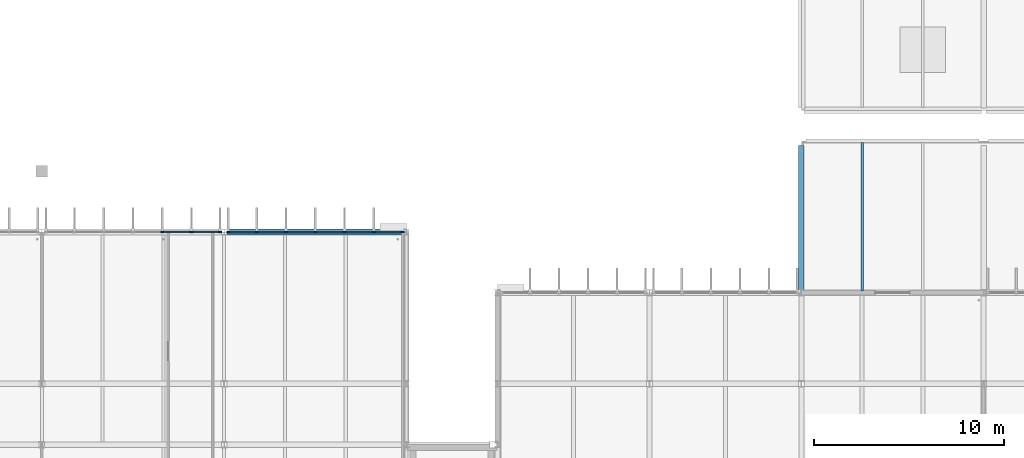
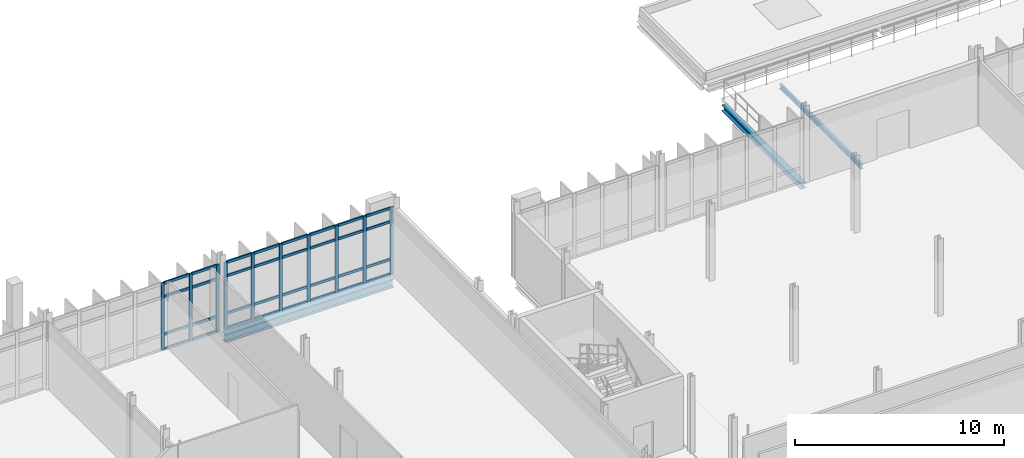
# One storey, part 38 of 110: 42 members, 3 beams, 2 elements without a shape of their own.
"""IFC4 building model written with IfcOpenShell, lengths in metres."""

from ifc_helpers import new_model, si_unit, direction, frame, origin, origin_2d, place, context, subcontext, project, spatial, rectangle, i_section, extrude, material, material_profile, profile_set, type_object, element, aggregate, save


model = new_model("IFC4")

# Units and contexts
model_context = context("Model", 3, precision=1e-05, world=origin(), true_north=direction((0.0, 1.0)))
body_context = subcontext(model_context, "Body", "Model", "MODEL_VIEW")
ifc_project = project(units=[si_unit("LENGTHUNIT", "METRE"), si_unit("AREAUNIT", "SQUARE_METRE"), si_unit("VOLUMEUNIT", "CUBIC_METRE"), si_unit("PLANEANGLEUNIT", "RADIAN"), si_unit("MASSUNIT", "GRAM", prefix="KILO")], contexts=[model_context])

# Site, building, storey
site_placement = place(None, origin())
site = spatial("IfcSite", under=ifc_project, at=site_placement, CompositionType="ELEMENT")
building_placement = place(site_placement, origin())
building = spatial("IfcBuilding", under=site, at=building_placement, Name="Dunescarp Central Library", CompositionType="ELEMENT")
storey_placement = place(building_placement, frame((0.0, 0.0, 9.60009765625)))
storey = spatial("IfcBuildingStorey", under=building, at=storey_placement, Name="L02", CompositionType="ELEMENT", Elevation=9.60009765625)

# Curtain wall, members
ifc_material_1 = material(Name="Marine-grade anodised aluminium 6063-T6", Category="aluminium")
curtain_wall_type = type_object("IfcCurtainWallType", Name="ARC-CW-STICK", PredefinedType="NOTDEFINED", material=ifc_material_1)
curtain_wall_1_placement = place(storey_placement, origin())
curtain_wall_1 = element("IfcCurtainWall", 1, at=curtain_wall_1_placement, inside=storey, type_object=curtain_wall_type, Name="L02 curtain wall CW-V2-059", PredefinedType="NOTDEFINED")
ifc_material_profile_1 = material_profile(ifc_material_1, rectangle(XDim=0.080078125, YDim=0.179931640625, at=origin_2d()), Name="AL 80x180")
ifc_profile_set_1 = profile_set([ifc_material_profile_1], Name="Marine-grade anodised aluminium 6063-T6")
member_type_1 = type_object("IfcMemberType", Name="ARC-CWM-180", PredefinedType="MULLION", material=ifc_profile_set_1)
member_1_placement = place(storey_placement, frame((63.941650390625, 36.800048828125, 0.0), z_axis=(0.0, 0.0, 1.0), x_axis=(0.0, 1.0, 0.0)))
member_1 = element("IfcMember", 2, at=member_1_placement, type_object=member_type_1, Name="CW-V2-059 mullion 5", PredefinedType="MULLION", context=body_context, shape_type="SweptSolid", body=[
    extrude(rectangle(XDim=0.080078125, YDim=0.179931640625, at=origin_2d()), origin(), (0.0, 0.0, 1.0), 3.9248046875),
])
member_2_placement = place(storey_placement, frame((65.4833984375, 36.800048828125, 0.0), z_axis=(0.0, 0.0, 1.0), x_axis=(0.0, 1.0, 0.0)))
member_2 = element("IfcMember", 3, at=member_2_placement, type_object=member_type_1, Name="CW-V2-059 mullion 6", PredefinedType="MULLION", context=body_context, shape_type="SweptSolid", body=[
    extrude(rectangle(XDim=0.080078125, YDim=0.179931640625, at=origin_2d()), origin(), (0.0, 0.0, 1.0), 3.9248046875),
])
member_3_placement = place(storey_placement, frame((66.985107421875, 36.800048828125, 0.0), z_axis=(0.0, 0.0, 1.0), x_axis=(0.0, 1.0, 0.0)))
member_3 = element("IfcMember", 4, at=member_3_placement, type_object=member_type_1, Name="CW-V2-059 mullion 7", PredefinedType="MULLION", context=body_context, shape_type="SweptSolid", body=[
    extrude(rectangle(XDim=0.080078125, YDim=0.179931640625, at=origin_2d()), origin(), (0.0, 0.0, 1.0), 3.9248046875),
])

curtain_wall_2_placement = place(storey_placement, origin())
curtain_wall_2 = element("IfcCurtainWall", 5, at=curtain_wall_2_placement, inside=storey, type_object=curtain_wall_type, Name="L02 curtain wall CW-V2-060", PredefinedType="NOTDEFINED")
member_4_placement = place(storey_placement, frame((67.4150390625, 36.800048828125, 0.0), z_axis=(0.0, 0.0, 1.0), x_axis=(0.0, 1.0, 0.0)))
member_4 = element("IfcMember", 6, at=member_4_placement, type_object=member_type_1, Name="CW-V2-060 mullion 1", PredefinedType="MULLION", context=body_context, shape_type="SweptSolid", body=[
    extrude(rectangle(XDim=0.080078125, YDim=0.179931640625, at=origin_2d()), origin(), (0.0, 0.0, 1.0), 3.9248046875),
])
member_5_placement = place(storey_placement, frame((68.916748046875, 36.800048828125, 0.0), z_axis=(0.0, 0.0, 1.0), x_axis=(0.0, 1.0, 0.0)))
member_5 = element("IfcMember", 7, at=member_5_placement, type_object=member_type_1, Name="CW-V2-060 mullion 2", PredefinedType="MULLION", context=body_context, shape_type="SweptSolid", body=[
    extrude(rectangle(XDim=0.080078125, YDim=0.179931640625, at=origin_2d()), origin(), (0.0, 0.0, 1.0), 3.9248046875),
])
member_6_placement = place(storey_placement, frame((70.458251953125, 36.800048828125, 0.0), z_axis=(0.0, 0.0, 1.0), x_axis=(0.0, 1.0, 0.0)))
member_6 = element("IfcMember", 8, at=member_6_placement, type_object=member_type_1, Name="CW-V2-060 mullion 3", PredefinedType="MULLION", context=body_context, shape_type="SweptSolid", body=[
    extrude(rectangle(XDim=0.080078125, YDim=0.179931640625, at=origin_2d()), origin(), (0.0, 0.0, 1.0), 3.9248046875),
])
member_7_placement = place(storey_placement, frame((72.0, 36.800048828125, 0.0), z_axis=(0.0, 0.0, 1.0), x_axis=(0.0, 1.0, 0.0)))
member_7 = element("IfcMember", 9, at=member_7_placement, type_object=member_type_1, Name="CW-V2-060 mullion 4", PredefinedType="MULLION", context=body_context, shape_type="SweptSolid", body=[
    extrude(rectangle(XDim=0.080078125, YDim=0.179931640625, at=origin_2d()), origin(), (0.0, 0.0, 1.0), 3.9248046875),
])
member_8_placement = place(storey_placement, frame((73.541748046875, 36.800048828125, 0.0), z_axis=(0.0, 0.0, 1.0), x_axis=(0.0, 1.0, 0.0)))
member_8 = element("IfcMember", 10, at=member_8_placement, type_object=member_type_1, Name="CW-V2-060 mullion 5", PredefinedType="MULLION", context=body_context, shape_type="SweptSolid", body=[
    extrude(rectangle(XDim=0.080078125, YDim=0.179931640625, at=origin_2d()), origin(), (0.0, 0.0, 1.0), 3.9248046875),
])
member_9_placement = place(storey_placement, frame((75.083251953125, 36.800048828125, 0.0), z_axis=(0.0, 0.0, 1.0), x_axis=(0.0, 1.0, 0.0)))
member_9 = element("IfcMember", 11, at=member_9_placement, type_object=member_type_1, Name="CW-V2-060 mullion 6", PredefinedType="MULLION", context=body_context, shape_type="SweptSolid", body=[
    extrude(rectangle(XDim=0.080078125, YDim=0.179931640625, at=origin_2d()), origin(), (0.0, 0.0, 1.0), 3.9248046875),
])
member_10_placement = place(storey_placement, frame((76.5849609375, 36.800048828125, 0.0), z_axis=(0.0, 0.0, 1.0), x_axis=(0.0, 1.0, 0.0)))
member_10 = element("IfcMember", 12, at=member_10_placement, type_object=member_type_1, Name="CW-V2-060 mullion 7", PredefinedType="MULLION", context=body_context, shape_type="SweptSolid", body=[
    extrude(rectangle(XDim=0.080078125, YDim=0.179931640625, at=origin_2d()), origin(), (0.0, 0.0, 1.0), 3.9248046875),
])

# Member
ifc_material_profile_2 = material_profile(ifc_material_1, rectangle(XDim=0.080078125, YDim=0.14990234375, at=origin_2d()), Name="AL 80x150")
ifc_profile_set_2 = profile_set([ifc_material_profile_2], Name="Marine-grade anodised aluminium 6063-T6")
member_type_2 = type_object("IfcMemberType", Name="ARC-CWT-150", PredefinedType="USERDEFINED", material=ifc_profile_set_2)
member_11_placement = place(storey_placement, frame((63.981689453125, 36.800048828125, 0.039794921875), z_axis=(1.0, 0.0, 0.0), x_axis=(0.0, 1.0, 0.0)))
member_11 = element("IfcMember", 13, at=member_11_placement, type_object=member_type_2, Name="CW-V2-059 transom 5.1", ObjectType="TRANSOM", PredefinedType="USERDEFINED", context=body_context, shape_type="SweptSolid", body=[
    extrude(rectangle(XDim=0.080078125, YDim=0.14990234375, at=origin_2d()), origin(), (0.0, 0.0, 1.0), 1.461669921875),
])

member_12_placement = place(storey_placement, frame((63.981689453125, 36.800048828125, 0.89990234375), z_axis=(1.0, 0.0, 0.0), x_axis=(0.0, 1.0, 0.0)))
member_12 = element("IfcMember", 14, at=member_12_placement, type_object=member_type_2, Name="CW-V2-059 transom 5.2", ObjectType="TRANSOM", PredefinedType="USERDEFINED", context=body_context, shape_type="SweptSolid", body=[
    extrude(rectangle(XDim=0.080078125, YDim=0.14990234375, at=origin_2d()), origin(), (0.0, 0.0, 1.0), 1.461669921875),
])

member_13_placement = place(storey_placement, frame((63.981689453125, 36.800048828125, 3.099853515625), z_axis=(1.0, 0.0, 0.0), x_axis=(0.0, 1.0, 0.0)))
member_13 = element("IfcMember", 15, at=member_13_placement, type_object=member_type_2, Name="CW-V2-059 transom 5.3", ObjectType="TRANSOM", PredefinedType="USERDEFINED", context=body_context, shape_type="SweptSolid", body=[
    extrude(rectangle(XDim=0.080078125, YDim=0.14990234375, at=origin_2d()), origin(), (0.0, 0.0, 1.0), 1.461669921875),
])

member_14_placement = place(storey_placement, frame((63.981689453125, 36.800048828125, 3.885009765625), z_axis=(1.0, 0.0, 0.0), x_axis=(0.0, 1.0, 0.0)))
member_14 = element("IfcMember", 16, at=member_14_placement, type_object=member_type_2, Name="CW-V2-059 transom 5.4", ObjectType="TRANSOM", PredefinedType="USERDEFINED", context=body_context, shape_type="SweptSolid", body=[
    extrude(rectangle(XDim=0.080078125, YDim=0.14990234375, at=origin_2d()), origin(), (0.0, 0.0, 1.0), 1.461669921875),
])

member_15_placement = place(storey_placement, frame((65.5234375, 36.800048828125, 0.039794921875), z_axis=(1.0, 0.0, 0.0), x_axis=(0.0, 1.0, 0.0)))
member_15 = element("IfcMember", 17, at=member_15_placement, type_object=member_type_2, Name="CW-V2-059 transom 6.1", ObjectType="TRANSOM", PredefinedType="USERDEFINED", context=body_context, shape_type="SweptSolid", body=[
    extrude(rectangle(XDim=0.080078125, YDim=0.14990234375, at=origin_2d()), origin(), (0.0, 0.0, 1.0), 1.421630859375),
])

member_16_placement = place(storey_placement, frame((65.5234375, 36.800048828125, 0.89990234375), z_axis=(1.0, 0.0, 0.0), x_axis=(0.0, 1.0, 0.0)))
member_16 = element("IfcMember", 18, at=member_16_placement, type_object=member_type_2, Name="CW-V2-059 transom 6.2", ObjectType="TRANSOM", PredefinedType="USERDEFINED", context=body_context, shape_type="SweptSolid", body=[
    extrude(rectangle(XDim=0.080078125, YDim=0.14990234375, at=origin_2d()), origin(), (0.0, 0.0, 1.0), 1.421630859375),
])

member_17_placement = place(storey_placement, frame((65.5234375, 36.800048828125, 3.099853515625), z_axis=(1.0, 0.0, 0.0), x_axis=(0.0, 1.0, 0.0)))
member_17 = element("IfcMember", 19, at=member_17_placement, type_object=member_type_2, Name="CW-V2-059 transom 6.3", ObjectType="TRANSOM", PredefinedType="USERDEFINED", context=body_context, shape_type="SweptSolid", body=[
    extrude(rectangle(XDim=0.080078125, YDim=0.14990234375, at=origin_2d()), origin(), (0.0, 0.0, 1.0), 1.421630859375),
])

member_18_placement = place(storey_placement, frame((65.5234375, 36.800048828125, 3.885009765625), z_axis=(1.0, 0.0, 0.0), x_axis=(0.0, 1.0, 0.0)))
member_18 = element("IfcMember", 20, at=member_18_placement, type_object=member_type_2, Name="CW-V2-059 transom 6.4", ObjectType="TRANSOM", PredefinedType="USERDEFINED", context=body_context, shape_type="SweptSolid", body=[
    extrude(rectangle(XDim=0.080078125, YDim=0.14990234375, at=origin_2d()), origin(), (0.0, 0.0, 1.0), 1.421630859375),
])

aggregate(curtain_wall_1, [member_1, member_2, member_3, member_11, member_12, member_13, member_14, member_15, member_16, member_17, member_18])

member_19_placement = place(storey_placement, frame((67.455078125, 36.800048828125, 0.039794921875), z_axis=(1.0, 0.0, 0.0), x_axis=(0.0, 1.0, 0.0)))
member_19 = element("IfcMember", 21, at=member_19_placement, type_object=member_type_2, Name="CW-V2-060 transom 1.1", ObjectType="TRANSOM", PredefinedType="USERDEFINED", context=body_context, shape_type="SweptSolid", body=[
    extrude(rectangle(XDim=0.080078125, YDim=0.14990234375, at=origin_2d()), origin(), (0.0, 0.0, 1.0), 1.421630859375),
])

member_20_placement = place(storey_placement, frame((67.455078125, 36.800048828125, 0.89990234375), z_axis=(1.0, 0.0, 0.0), x_axis=(0.0, 1.0, 0.0)))
member_20 = element("IfcMember", 22, at=member_20_placement, type_object=member_type_2, Name="CW-V2-060 transom 1.2", ObjectType="TRANSOM", PredefinedType="USERDEFINED", context=body_context, shape_type="SweptSolid", body=[
    extrude(rectangle(XDim=0.080078125, YDim=0.14990234375, at=origin_2d()), origin(), (0.0, 0.0, 1.0), 1.421630859375),
])

member_21_placement = place(storey_placement, frame((67.455078125, 36.800048828125, 3.099853515625), z_axis=(1.0, 0.0, 0.0), x_axis=(0.0, 1.0, 0.0)))
member_21 = element("IfcMember", 23, at=member_21_placement, type_object=member_type_2, Name="CW-V2-060 transom 1.3", ObjectType="TRANSOM", PredefinedType="USERDEFINED", context=body_context, shape_type="SweptSolid", body=[
    extrude(rectangle(XDim=0.080078125, YDim=0.14990234375, at=origin_2d()), origin(), (0.0, 0.0, 1.0), 1.421630859375),
])

member_22_placement = place(storey_placement, frame((67.455078125, 36.800048828125, 3.885009765625), z_axis=(1.0, 0.0, 0.0), x_axis=(0.0, 1.0, 0.0)))
member_22 = element("IfcMember", 24, at=member_22_placement, type_object=member_type_2, Name="CW-V2-060 transom 1.4", ObjectType="TRANSOM", PredefinedType="USERDEFINED", context=body_context, shape_type="SweptSolid", body=[
    extrude(rectangle(XDim=0.080078125, YDim=0.14990234375, at=origin_2d()), origin(), (0.0, 0.0, 1.0), 1.421630859375),
])

member_23_placement = place(storey_placement, frame((68.956787109375, 36.800048828125, 0.039794921875), z_axis=(1.0, 0.0, 0.0), x_axis=(0.0, 1.0, 0.0)))
member_23 = element("IfcMember", 25, at=member_23_placement, type_object=member_type_2, Name="CW-V2-060 transom 2.1", ObjectType="TRANSOM", PredefinedType="USERDEFINED", context=body_context, shape_type="SweptSolid", body=[
    extrude(rectangle(XDim=0.080078125, YDim=0.14990234375, at=origin_2d()), origin(), (0.0, 0.0, 1.0), 1.46142578125),
])

member_24_placement = place(storey_placement, frame((68.956787109375, 36.800048828125, 0.89990234375), z_axis=(1.0, 0.0, 0.0), x_axis=(0.0, 1.0, 0.0)))
member_24 = element("IfcMember", 26, at=member_24_placement, type_object=member_type_2, Name="CW-V2-060 transom 2.2", ObjectType="TRANSOM", PredefinedType="USERDEFINED", context=body_context, shape_type="SweptSolid", body=[
    extrude(rectangle(XDim=0.080078125, YDim=0.14990234375, at=origin_2d()), origin(), (0.0, 0.0, 1.0), 1.46142578125),
])

member_25_placement = place(storey_placement, frame((68.956787109375, 36.800048828125, 3.099853515625), z_axis=(1.0, 0.0, 0.0), x_axis=(0.0, 1.0, 0.0)))
member_25 = element("IfcMember", 27, at=member_25_placement, type_object=member_type_2, Name="CW-V2-060 transom 2.3", ObjectType="TRANSOM", PredefinedType="USERDEFINED", context=body_context, shape_type="SweptSolid", body=[
    extrude(rectangle(XDim=0.080078125, YDim=0.14990234375, at=origin_2d()), origin(), (0.0, 0.0, 1.0), 1.46142578125),
])

member_26_placement = place(storey_placement, frame((68.956787109375, 36.800048828125, 3.885009765625), z_axis=(1.0, 0.0, 0.0), x_axis=(0.0, 1.0, 0.0)))
member_26 = element("IfcMember", 28, at=member_26_placement, type_object=member_type_2, Name="CW-V2-060 transom 2.4", ObjectType="TRANSOM", PredefinedType="USERDEFINED", context=body_context, shape_type="SweptSolid", body=[
    extrude(rectangle(XDim=0.080078125, YDim=0.14990234375, at=origin_2d()), origin(), (0.0, 0.0, 1.0), 1.46142578125),
])

member_27_placement = place(storey_placement, frame((70.498291015625, 36.800048828125, 0.039794921875), z_axis=(1.0, 0.0, 0.0), x_axis=(0.0, 1.0, 0.0)))
member_27 = element("IfcMember", 29, at=member_27_placement, type_object=member_type_2, Name="CW-V2-060 transom 3.1", ObjectType="TRANSOM", PredefinedType="USERDEFINED", context=body_context, shape_type="SweptSolid", body=[
    extrude(rectangle(XDim=0.080078125, YDim=0.14990234375, at=origin_2d()), origin(), (0.0, 0.0, 1.0), 1.461669921875),
])

member_28_placement = place(storey_placement, frame((70.498291015625, 36.800048828125, 0.89990234375), z_axis=(1.0, 0.0, 0.0), x_axis=(0.0, 1.0, 0.0)))
member_28 = element("IfcMember", 30, at=member_28_placement, type_object=member_type_2, Name="CW-V2-060 transom 3.2", ObjectType="TRANSOM", PredefinedType="USERDEFINED", context=body_context, shape_type="SweptSolid", body=[
    extrude(rectangle(XDim=0.080078125, YDim=0.14990234375, at=origin_2d()), origin(), (0.0, 0.0, 1.0), 1.461669921875),
])

member_29_placement = place(storey_placement, frame((70.498291015625, 36.800048828125, 3.099853515625), z_axis=(1.0, 0.0, 0.0), x_axis=(0.0, 1.0, 0.0)))
member_29 = element("IfcMember", 31, at=member_29_placement, type_object=member_type_2, Name="CW-V2-060 transom 3.3", ObjectType="TRANSOM", PredefinedType="USERDEFINED", context=body_context, shape_type="SweptSolid", body=[
    extrude(rectangle(XDim=0.080078125, YDim=0.14990234375, at=origin_2d()), origin(), (0.0, 0.0, 1.0), 1.461669921875),
])

member_30_placement = place(storey_placement, frame((70.498291015625, 36.800048828125, 3.885009765625), z_axis=(1.0, 0.0, 0.0), x_axis=(0.0, 1.0, 0.0)))
member_30 = element("IfcMember", 32, at=member_30_placement, type_object=member_type_2, Name="CW-V2-060 transom 3.4", ObjectType="TRANSOM", PredefinedType="USERDEFINED", context=body_context, shape_type="SweptSolid", body=[
    extrude(rectangle(XDim=0.080078125, YDim=0.14990234375, at=origin_2d()), origin(), (0.0, 0.0, 1.0), 1.461669921875),
])

member_31_placement = place(storey_placement, frame((72.0400390625, 36.800048828125, 0.039794921875), z_axis=(1.0, 0.0, 0.0), x_axis=(0.0, 1.0, 0.0)))
member_31 = element("IfcMember", 33, at=member_31_placement, type_object=member_type_2, Name="CW-V2-060 transom 4.1", ObjectType="TRANSOM", PredefinedType="USERDEFINED", context=body_context, shape_type="SweptSolid", body=[
    extrude(rectangle(XDim=0.080078125, YDim=0.14990234375, at=origin_2d()), origin(), (0.0, 0.0, 1.0), 1.461669921875),
])

member_32_placement = place(storey_placement, frame((72.0400390625, 36.800048828125, 0.89990234375), z_axis=(1.0, 0.0, 0.0), x_axis=(0.0, 1.0, 0.0)))
member_32 = element("IfcMember", 34, at=member_32_placement, type_object=member_type_2, Name="CW-V2-060 transom 4.2", ObjectType="TRANSOM", PredefinedType="USERDEFINED", context=body_context, shape_type="SweptSolid", body=[
    extrude(rectangle(XDim=0.080078125, YDim=0.14990234375, at=origin_2d()), origin(), (0.0, 0.0, 1.0), 1.461669921875),
])

member_33_placement = place(storey_placement, frame((72.0400390625, 36.800048828125, 3.099853515625), z_axis=(1.0, 0.0, 0.0), x_axis=(0.0, 1.0, 0.0)))
member_33 = element("IfcMember", 35, at=member_33_placement, type_object=member_type_2, Name="CW-V2-060 transom 4.3", ObjectType="TRANSOM", PredefinedType="USERDEFINED", context=body_context, shape_type="SweptSolid", body=[
    extrude(rectangle(XDim=0.080078125, YDim=0.14990234375, at=origin_2d()), origin(), (0.0, 0.0, 1.0), 1.461669921875),
])

member_34_placement = place(storey_placement, frame((72.0400390625, 36.800048828125, 3.885009765625), z_axis=(1.0, 0.0, 0.0), x_axis=(0.0, 1.0, 0.0)))
member_34 = element("IfcMember", 36, at=member_34_placement, type_object=member_type_2, Name="CW-V2-060 transom 4.4", ObjectType="TRANSOM", PredefinedType="USERDEFINED", context=body_context, shape_type="SweptSolid", body=[
    extrude(rectangle(XDim=0.080078125, YDim=0.14990234375, at=origin_2d()), origin(), (0.0, 0.0, 1.0), 1.461669921875),
])

member_35_placement = place(storey_placement, frame((73.581787109375, 36.800048828125, 0.039794921875), z_axis=(1.0, 0.0, 0.0), x_axis=(0.0, 1.0, 0.0)))
member_35 = element("IfcMember", 37, at=member_35_placement, type_object=member_type_2, Name="CW-V2-060 transom 5.1", ObjectType="TRANSOM", PredefinedType="USERDEFINED", context=body_context, shape_type="SweptSolid", body=[
    extrude(rectangle(XDim=0.080078125, YDim=0.14990234375, at=origin_2d()), origin(), (0.0, 0.0, 1.0), 1.46142578125),
])

member_36_placement = place(storey_placement, frame((73.581787109375, 36.800048828125, 0.89990234375), z_axis=(1.0, 0.0, 0.0), x_axis=(0.0, 1.0, 0.0)))
member_36 = element("IfcMember", 38, at=member_36_placement, type_object=member_type_2, Name="CW-V2-060 transom 5.2", ObjectType="TRANSOM", PredefinedType="USERDEFINED", context=body_context, shape_type="SweptSolid", body=[
    extrude(rectangle(XDim=0.080078125, YDim=0.14990234375, at=origin_2d()), origin(), (0.0, 0.0, 1.0), 1.46142578125),
])

member_37_placement = place(storey_placement, frame((73.581787109375, 36.800048828125, 3.099853515625), z_axis=(1.0, 0.0, 0.0), x_axis=(0.0, 1.0, 0.0)))
member_37 = element("IfcMember", 39, at=member_37_placement, type_object=member_type_2, Name="CW-V2-060 transom 5.3", ObjectType="TRANSOM", PredefinedType="USERDEFINED", context=body_context, shape_type="SweptSolid", body=[
    extrude(rectangle(XDim=0.080078125, YDim=0.14990234375, at=origin_2d()), origin(), (0.0, 0.0, 1.0), 1.46142578125),
])

member_38_placement = place(storey_placement, frame((73.581787109375, 36.800048828125, 3.885009765625), z_axis=(1.0, 0.0, 0.0), x_axis=(0.0, 1.0, 0.0)))
member_38 = element("IfcMember", 40, at=member_38_placement, type_object=member_type_2, Name="CW-V2-060 transom 5.4", ObjectType="TRANSOM", PredefinedType="USERDEFINED", context=body_context, shape_type="SweptSolid", body=[
    extrude(rectangle(XDim=0.080078125, YDim=0.14990234375, at=origin_2d()), origin(), (0.0, 0.0, 1.0), 1.46142578125),
])

member_39_placement = place(storey_placement, frame((75.123291015625, 36.800048828125, 0.039794921875), z_axis=(1.0, 0.0, 0.0), x_axis=(0.0, 1.0, 0.0)))
member_39 = element("IfcMember", 41, at=member_39_placement, type_object=member_type_2, Name="CW-V2-060 transom 6.1", ObjectType="TRANSOM", PredefinedType="USERDEFINED", context=body_context, shape_type="SweptSolid", body=[
    extrude(rectangle(XDim=0.080078125, YDim=0.14990234375, at=origin_2d()), origin(), (0.0, 0.0, 1.0), 1.421630859375),
])

member_40_placement = place(storey_placement, frame((75.123291015625, 36.800048828125, 0.89990234375), z_axis=(1.0, 0.0, 0.0), x_axis=(0.0, 1.0, 0.0)))
member_40 = element("IfcMember", 42, at=member_40_placement, type_object=member_type_2, Name="CW-V2-060 transom 6.2", ObjectType="TRANSOM", PredefinedType="USERDEFINED", context=body_context, shape_type="SweptSolid", body=[
    extrude(rectangle(XDim=0.080078125, YDim=0.14990234375, at=origin_2d()), origin(), (0.0, 0.0, 1.0), 1.421630859375),
])

member_41_placement = place(storey_placement, frame((75.123291015625, 36.800048828125, 3.099853515625), z_axis=(1.0, 0.0, 0.0), x_axis=(0.0, 1.0, 0.0)))
member_41 = element("IfcMember", 43, at=member_41_placement, type_object=member_type_2, Name="CW-V2-060 transom 6.3", ObjectType="TRANSOM", PredefinedType="USERDEFINED", context=body_context, shape_type="SweptSolid", body=[
    extrude(rectangle(XDim=0.080078125, YDim=0.14990234375, at=origin_2d()), origin(), (0.0, 0.0, 1.0), 1.421630859375),
])

member_42_placement = place(storey_placement, frame((75.123291015625, 36.800048828125, 3.885009765625), z_axis=(1.0, 0.0, 0.0), x_axis=(0.0, 1.0, 0.0)))
member_42 = element("IfcMember", 44, at=member_42_placement, type_object=member_type_2, Name="CW-V2-060 transom 6.4", ObjectType="TRANSOM", PredefinedType="USERDEFINED", context=body_context, shape_type="SweptSolid", body=[
    extrude(rectangle(XDim=0.080078125, YDim=0.14990234375, at=origin_2d()), origin(), (0.0, 0.0, 1.0), 1.421630859375),
])

aggregate(curtain_wall_2, [member_4, member_5, member_6, member_7, member_8, member_9, member_10, member_19, member_20, member_21, member_22, member_23, member_24, member_25, member_26, member_27, member_28, member_29, member_30, member_31, member_32, member_33, member_34, member_35, member_36, member_37, member_38, member_39, member_40, member_41, member_42])

# Beams
ifc_material_2 = material(Name="Steel S355JR", Category="steel")
ifc_material_profile_3 = material_profile(ifc_material_2, i_section(OverallWidth=0.300048828125, OverallDepth=0.330078125, WebThickness=0.009521484375, FlangeThickness=0.0166015625, at=origin_2d()), Name="HEA 340")
ifc_profile_set_3 = profile_set([ifc_material_profile_3], Name="Steel S355JR")
beam_type_1 = type_object("IfcBeamType", Name="STR-BM-HEA340", PredefinedType="BEAM", material=ifc_profile_set_3)
beam_1_placement = place(storey_placement, frame((97.60009765625, 33.757080078125, -0.35498046875), z_axis=(0.0, 1.0, 0.0), x_axis=(-1.0, 0.0, 0.0)))
element("IfcBeam", 45, at=beam_1_placement, inside=storey, type_object=beam_type_1, Name="L02 girder BM-L02-1475", PredefinedType="BEAM", context=body_context, shape_type="SweptSolid", body=[
    extrude(i_section(OverallWidth=0.300048828125, OverallDepth=0.330078125, WebThickness=0.009521484375, FlangeThickness=0.0166015625, at=origin_2d()), origin(), (0.0, 0.0, 1.0), 7.595947265625),
])
ifc_material_profile_4 = material_profile(ifc_material_2, i_section(OverallWidth=0.300048828125, OverallDepth=0.5, WebThickness=0.014404296875, FlangeThickness=0.028076171875, at=origin_2d()), Name="HEB 500")
ifc_profile_set_4 = profile_set([ifc_material_profile_4], Name="Steel S355JR")
beam_type_2 = type_object("IfcBeamType", Name="STR-BM-HEB500", PredefinedType="BEAM", material=ifc_profile_set_4)
beam_2_placement = place(storey_placement, frame((67.35205078125, 36.800048828125, -0.460205078125), z_axis=(1.0, 0.0, 0.0), x_axis=(0.0, 1.0, 0.0)))
element("IfcBeam", 46, at=beam_2_placement, inside=storey, type_object=beam_type_2, Name="L02 girder BM-L02-0467", PredefinedType="BEAM", context=body_context, shape_type="SweptSolid", body=[
    extrude(i_section(OverallWidth=0.300048828125, OverallDepth=0.5, WebThickness=0.014404296875, FlangeThickness=0.028076171875, at=origin_2d()), origin(), (0.0, 0.0, 1.0), 9.2958984375),
])
ifc_material_profile_5 = material_profile(ifc_material_2, i_section(OverallWidth=0.135009765625, OverallDepth=0.27001953125, WebThickness=0.006591796875, FlangeThickness=0.01025390625, at=origin_2d()), Name="IPE 270")
ifc_profile_set_5 = profile_set([ifc_material_profile_5], Name="Steel S355JR")
beam_type_3 = type_object("IfcBeamType", Name="STR-JS-IPE270", PredefinedType="JOIST", material=ifc_profile_set_5)
beam_3_placement = place(storey_placement, frame((100.800048828125, 33.68701171875, -0.3251953125), z_axis=(0.0, 1.0, 0.0), x_axis=(-1.0, 0.0, 0.0)))
element("IfcBeam", 47, at=beam_3_placement, inside=storey, type_object=beam_type_3, Name="L02 joist JS-L02-1477", PredefinedType="JOIST", context=body_context, shape_type="SweptSolid", body=[
    extrude(i_section(OverallWidth=0.135009765625, OverallDepth=0.27001953125, WebThickness=0.006591796875, FlangeThickness=0.01025390625, at=origin_2d()), origin(), (0.0, 0.0, 1.0), 7.825927734375),
])

save(model, "model.ifc")
